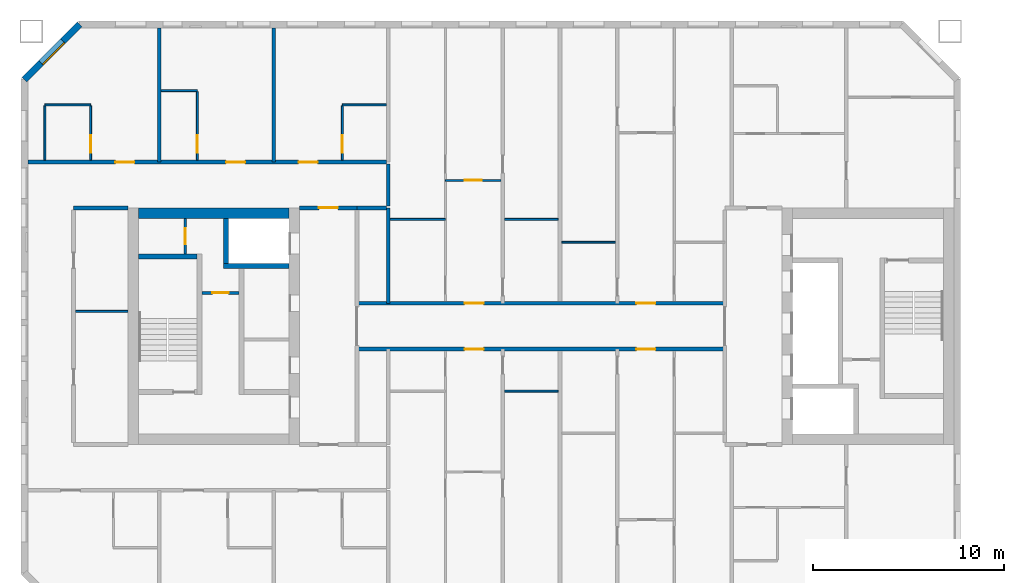
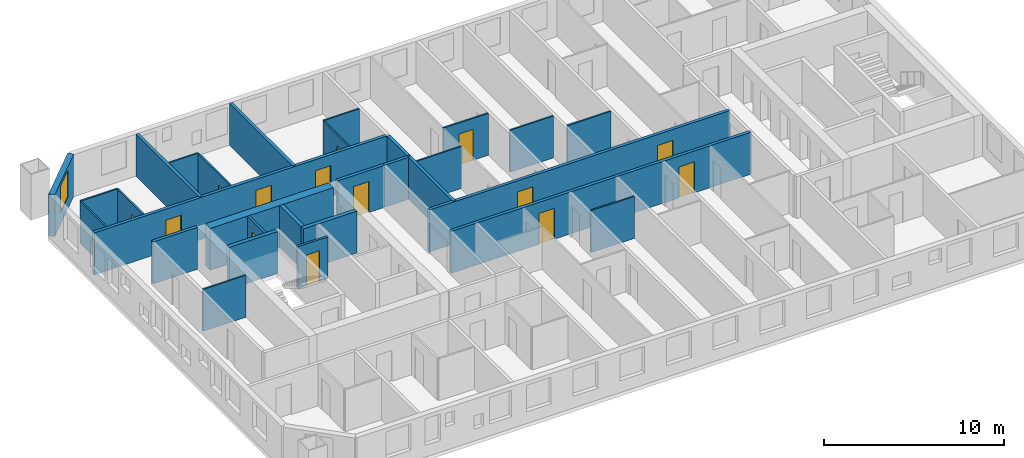
# One storey, part 5 of 17: 30 walls, 14 doors, 1 window, 15 openings.
"""IFC4 building model written with IfcOpenShell, lengths in metres."""

from ifc_helpers import new_model, si_unit, direction, frame, frame_2d, origin, place, context, subcontext, project, spatial, rectangle, extrude, material, layer, layer_set, type_object, element, fill, save


model = new_model("IFC4")

# Units and contexts
model_context = context("Model", 3, precision=1e-05, world=origin(), true_north=direction((0.0, 1.0)))
body_context = subcontext(model_context, "Body", "Model", "MODEL_VIEW")
ifc_project = project(units=[si_unit("LENGTHUNIT", "METRE"), si_unit("AREAUNIT", "SQUARE_METRE"), si_unit("VOLUMEUNIT", "CUBIC_METRE"), si_unit("PLANEANGLEUNIT", "RADIAN"), si_unit("MASSUNIT", "GRAM", prefix="KILO")], contexts=[model_context])

# Site, building, storey
site_placement = place(None, origin())
site = spatial("IfcSite", under=ifc_project, at=site_placement, CompositionType="ELEMENT")
building_placement = place(site_placement, origin())
building = spatial("IfcBuilding", under=site, at=building_placement, Name="Tuart Gate Housing", CompositionType="ELEMENT")
storey_placement = place(building_placement, frame((0.0, 0.0, 126.800048828125)))
storey = spatial("IfcBuildingStorey", under=building, at=storey_placement, Name="L35", CompositionType="ELEMENT", Elevation=126.800048828125)

# Wall, opening, window
ifc_material_1 = material(Name="Brick", Category="masonry")
ifc_layer_1 = layer(ifc_material_1, 0.360107421875)
ifc_layer_set_1 = layer_set([ifc_layer_1], Name="Brick pier and spandrel wall 360")
wall_type_1 = type_object("IfcWallType", Name="Brick pier and spandrel wall 360", PredefinedType="STANDARD", material=ifc_layer_set_1)
wall_1_placement = place(storey_placement, frame((29.82470703125, 85.820068359375, 0.0), z_axis=(0.0, 0.0, 1.0), x_axis=(-0.707106781187, -0.707106781187, 0.0)))
wall_1 = element("IfcWall", 1, at=wall_1_placement, inside=storey, type_object=wall_type_1, Name="External wall A-NW L35", PredefinedType="STANDARD", context=body_context, shape_type="SweptSolid", body=[
    extrude(rectangle(XDim=4.09375, YDim=0.360107421875, at=frame_2d((2.046875, 0.0))), origin(), (0.0, 0.0, 1.0), 2.849853515625),
])
opening_1_placement = place(wall_1_placement, frame((1.2470703125, 0.0, 0.800048828125)))
opening_1 = element("IfcOpeningElement", 2, at=opening_1_placement, cuts=wall_1, Name="Opening W1", PredefinedType="OPENING", context=body_context, shape_type="SweptSolid", body=[
    extrude(rectangle(XDim=1.60009765625, YDim=1.800048828125, at=frame_2d((0.800048828125, 0.89990234375))), frame((0.0, 0.18994140625, 0.0), z_axis=(0.0, -1.0, 0.0), x_axis=(1.0, 0.0, 0.0)), (0.0, 0.0, 1.0), 0.380126953125),
])
ifc_material_2 = material(Name="Aluminium frame with clear glass", Category="aluminium")
window_type = type_object("IfcWindowType", Name="Punched window 1600 x 1800", PartitioningType="SINGLE_PANEL", PredefinedType="WINDOW", material=ifc_material_2)
window_placement = place(opening_1_placement, origin())
window = element("IfcWindow", 3, at=window_placement, inside=storey, type_object=window_type, Name="Window W1", OverallHeight=1.800048828125, OverallWidth=1.60009765625, PartitioningType="SINGLE_PANEL", PredefinedType="WINDOW", context=body_context, shape_type="SweptSolid", body=[
    extrude(rectangle(XDim=1.60009765625, YDim=1.800048828125, at=frame_2d((0.800048828125, 0.89990234375))), frame((0.0, 0.150146484375, 0.0), z_axis=(0.0, -1.0, 0.0), x_axis=(1.0, 0.0, 0.0)), (0.0, 0.0, 1.0), 0.06005859375),
])
fill(opening_1, window)

# Wall, opening, door
ifc_material_3 = material(Name="Plasterboard partition")
ifc_layer_2 = layer(ifc_material_3, 0.14990234375)
ifc_layer_set_2 = layer_set([ifc_layer_2], Name="Core partition 150")
wall_type_2 = type_object("IfcWallType", Name="Core partition 150", PredefinedType="PARTITIONING", material=ifc_layer_set_2)
wall_2_placement = place(storey_placement, frame((38.18505859375, 71.75, 0.0), z_axis=(0.0, 0.0, 1.0), x_axis=(-1.0, 0.0, 0.0)))
wall_2 = element("IfcWall", 4, at=wall_2_placement, inside=storey, type_object=wall_type_2, Name="Core partition AK.3", PredefinedType="PARTITIONING", context=body_context, shape_type="SweptSolid", body=[
    extrude(rectangle(XDim=1.949951171875, YDim=0.14990234375, at=frame_2d((0.97509765625, 0.0))), origin(), (0.0, 0.0, 1.0), 2.849853515625),
])
opening_2_placement = place(wall_2_placement, frame((0.550048828125, 0.0, 0.0)))
opening_2 = element("IfcOpeningElement", 5, at=opening_2_placement, cuts=wall_2, Name="Opening D1314", PredefinedType="OPENING", context=body_context, shape_type="SweptSolid", body=[
    extrude(rectangle(XDim=0.85009765625, YDim=2.10009765625, at=frame_2d((0.425048828125, 1.050048828125))), frame((0.0, 0.0849609375, 0.0), z_axis=(0.0, -1.0, 0.0), x_axis=(1.0, 0.0, 0.0)), (0.0, 0.0, 1.0), 0.169921875),
])
ifc_material_4 = material(Name="Steel fire door", Category="steel")
door_type_1 = type_object("IfcDoorType", Name="Riser door 850 x 2100 RH", OperationType="SINGLE_SWING_RIGHT", PredefinedType="DOOR", material=ifc_material_4)
door_1_placement = place(opening_2_placement, frame((0.85009765625, 0.0, 0.0), z_axis=(0.0, 0.0, 1.0), x_axis=(-1.0, 0.0, 0.0)))
door_1 = element("IfcDoor", 6, at=door_1_placement, inside=storey, type_object=door_type_1, Name="Service room door AK.E1", OperationType="SINGLE_SWING_RIGHT", OverallHeight=2.10009765625, OverallWidth=0.85009765625, PredefinedType="DOOR", context=body_context, shape_type="SweptSolid", body=[
    extrude(rectangle(XDim=0.85009765625, YDim=2.10009765625, at=frame_2d((0.425048828125, 1.050048828125))), frame((0.0, 0.025146484375, 0.0), z_axis=(0.0, -1.0, 0.0), x_axis=(1.0, 0.0, 0.0)), (0.0, 0.0, 1.0), 0.050048828125),
])
fill(opening_2, door_1)

wall_3_placement = place(storey_placement, frame((35.360107421875, 75.64990234375, 0.0), z_axis=(0.0, 0.0, 1.0), x_axis=(0.0, -1.0, 0.0)))
wall_3 = element("IfcWall", 7, at=wall_3_placement, inside=storey, type_object=wall_type_2, Name="Core partition AK.10", PredefinedType="PARTITIONING", context=body_context, shape_type="SweptSolid", body=[
    extrude(rectangle(XDim=1.875, YDim=0.14990234375, at=frame_2d((0.9375, 0.0))), origin(), (0.0, 0.0, 1.0), 2.849853515625),
])
opening_3_placement = place(wall_3_placement, frame((0.512451171875, 0.0, 0.0)))
opening_3 = element("IfcOpeningElement", 8, at=opening_3_placement, cuts=wall_3, Name="Opening D1312", PredefinedType="OPENING", context=body_context, shape_type="SweptSolid", body=[
    extrude(rectangle(XDim=0.85009765625, YDim=2.10009765625, at=frame_2d((0.425048828125, 1.050048828125))), frame((0.0, 0.0849609375, 0.0), z_axis=(0.0, -1.0, 0.0), x_axis=(1.0, 0.0, 0.0)), (0.0, 0.0, 1.0), 0.169921875),
])
ifc_material_5 = material(Name="Steel fire door", Category="steel")
door_type_2 = type_object("IfcDoorType", Name="Service door 850 x 2100", OperationType="SINGLE_SWING_LEFT", PredefinedType="DOOR", material=ifc_material_5)
door_2_placement = place(opening_3_placement, origin())
door_2 = element("IfcDoor", 9, at=door_2_placement, inside=storey, type_object=door_type_2, Name="Service room door AK.E2", OperationType="SINGLE_SWING_LEFT", OverallHeight=2.10009765625, OverallWidth=0.85009765625, PredefinedType="DOOR", context=body_context, shape_type="SweptSolid", body=[
    extrude(rectangle(XDim=0.85009765625, YDim=2.10009765625, at=frame_2d((0.425048828125, 1.050048828125))), frame((0.0, 0.02490234375, 0.0), z_axis=(0.0, -1.0, 0.0), x_axis=(1.0, 0.0, 0.0)), (0.0, 0.0, 1.0), 0.050048828125),
])
fill(opening_3, door_2)

# Walls
ifc_material_6 = material(Name="Concrete C50", Category="concrete")
ifc_layer_3 = layer(ifc_material_6, 0.25)
ifc_layer_set_3 = layer_set([ifc_layer_3], Name="Core wall 250 C50")
wall_type_3 = type_object("IfcWallType", Name="Core wall 250 C50", PredefinedType="SHEAR", material=ifc_layer_set_3)
wall_4_placement = place(storey_placement, frame((35.985107421875, 73.64990234375, 0.0), z_axis=(0.0, 0.0, 1.0), x_axis=(-1.0, 0.0, 0.0)))
element("IfcWall", 10, at=wall_4_placement, inside=storey, type_object=wall_type_3, Name="Core wall AK.1", PredefinedType="SHEAR", context=body_context, shape_type="SweptSolid", body=[
    extrude(rectangle(XDim=3.0751953125, YDim=0.25, at=frame_2d((1.53759765625, 0.0))), origin(), (0.0, 0.0, 1.0), 2.849853515625),
])
wall_5_placement = place(storey_placement, frame((40.81005859375, 73.14990234375, 0.0), z_axis=(0.0, 0.0, 1.0), x_axis=(-1.0, 0.0, 0.0)))
element("IfcWall", 11, at=wall_5_placement, inside=storey, type_object=wall_type_3, Name="Core wall AK.2", PredefinedType="SHEAR", context=body_context, shape_type="SweptSolid", body=[
    extrude(rectangle(XDim=3.445068359375, YDim=0.25, at=frame_2d((1.72265625, 0.0))), origin(), (0.0, 0.0, 1.0), 2.849853515625),
])
wall_6_placement = place(storey_placement, frame((37.489990234375, 75.64990234375, 0.0), z_axis=(0.0, 0.0, 1.0), x_axis=(0.0, -1.0, 0.0)))
element("IfcWall", 12, at=wall_6_placement, inside=storey, type_object=wall_type_3, Name="Core wall AK.8", PredefinedType="SHEAR", context=body_context, shape_type="SweptSolid", body=[
    extrude(rectangle(XDim=2.375, YDim=0.25, at=frame_2d((1.1875, 0.0))), origin(), (0.0, 0.0, 1.0), 2.849853515625),
])
ifc_material_7 = material(Name="Concrete C50", Category="concrete")
ifc_layer_4 = layer(ifc_material_7, 0.550048828125)
ifc_layer_set_4 = layer_set([ifc_layer_4], Name="Core wall 550 C50")
wall_type_4 = type_object("IfcWallType", Name="Core wall 550 C50", PredefinedType="SHEAR", material=ifc_layer_set_4)
wall_7_placement = place(storey_placement, frame((40.81005859375, 75.925048828125, 0.0), z_axis=(0.0, 0.0, 1.0), x_axis=(-1.0, 0.0, 0.0)))
element("IfcWall", 13, at=wall_7_placement, inside=storey, type_object=wall_type_4, Name="Core wall AK south", PredefinedType="SHEAR", context=body_context, shape_type="SweptSolid", body=[
    extrude(rectangle(XDim=7.900146484375, YDim=0.550048828125, at=frame_2d((3.9501953125, 0.0))), origin(), (0.0, 0.0, 1.0), 2.849853515625),
])

# Wall, openings, doors
ifc_material_8 = material(Name="Concrete masonry 15 MPa", Category="masonry")
ifc_layer_5 = layer(ifc_material_8, 0.199951171875)
ifc_layer_set_5 = layer_set([ifc_layer_5], Name="Corridor wall masonry 200")
wall_type_5 = type_object("IfcWallType", Name="Corridor wall masonry 200", PredefinedType="PARTITIONING", material=ifc_layer_set_5)
wall_8_placement = place(storey_placement, frame((44.360107421875, 68.800048828125, 0.0), z_axis=(0.0, 0.0, 1.0), x_axis=(1.0, 0.0, 0.0)))
wall_8 = element("IfcWall", 14, at=wall_8_placement, inside=storey, type_object=wall_type_5, Name="Corridor wall masonry 200", PredefinedType="PARTITIONING", context=body_context, shape_type="SweptSolid", body=[
    extrude(rectangle(XDim=19.27978515625, YDim=0.199951171875, at=frame_2d((9.639892578125, 0.0))), origin(), (0.0, 0.0, 1.0), 2.849853515625),
])
opening_4_placement = place(wall_8_placement, frame((14.639892578125, 0.0, 0.0)))
opening_4 = element("IfcOpeningElement", 15, at=opening_4_placement, cuts=wall_8, Name="Opening D1325", PredefinedType="OPENING", context=body_context, shape_type="SweptSolid", body=[
    extrude(rectangle(XDim=1.0, YDim=2.10009765625, at=frame_2d((0.5, 1.050048828125))), frame((0.0, 0.10986328125, 0.0), z_axis=(0.0, -1.0, 0.0), x_axis=(1.0, 0.0, 0.0)), (0.0, 0.0, 1.0), 0.219970703125),
])
opening_5_placement = place(wall_8_placement, frame((5.639892578125, 0.0, 0.0)))
opening_5 = element("IfcOpeningElement", 16, at=opening_5_placement, cuts=wall_8, Name="Opening D1326", PredefinedType="OPENING", context=body_context, shape_type="SweptSolid", body=[
    extrude(rectangle(XDim=1.0, YDim=2.10009765625, at=frame_2d((0.5, 1.050048828125))), frame((0.0, 0.10986328125, 0.0), z_axis=(0.0, -1.0, 0.0), x_axis=(1.0, 0.0, 0.0)), (0.0, 0.0, 1.0), 0.219970703125),
])
ifc_material_9 = material(Name="Timber door leaf in steel frame", Category="steel")
door_type_3 = type_object("IfcDoorType", Name="Flat entrance door 1000 RH", OperationType="SINGLE_SWING_RIGHT", PredefinedType="DOOR", material=ifc_material_9)
door_3_placement = place(opening_4_placement, frame((1.0, 0.0, 0.0), z_axis=(0.0, 0.0, 1.0), x_axis=(-1.0, 0.0, 0.0)))
door_3 = element("IfcDoor", 17, at=door_3_placement, inside=storey, type_object=door_type_3, Name="Flat entrance door", OperationType="SINGLE_SWING_RIGHT", OverallHeight=2.10009765625, OverallWidth=1.0, PredefinedType="DOOR", context=body_context, shape_type="SweptSolid", body=[
    extrude(rectangle(XDim=1.0, YDim=2.10009765625, at=frame_2d((0.5, 1.050048828125))), frame((0.0, 0.025146484375, 0.0), z_axis=(0.0, -1.0, 0.0), x_axis=(1.0, 0.0, 0.0)), (0.0, 0.0, 1.0), 0.050048828125),
])
fill(opening_4, door_3)
door_4_placement = place(opening_5_placement, frame((1.0, 0.0, 0.0), z_axis=(0.0, 0.0, 1.0), x_axis=(-1.0, 0.0, 0.0)))
door_4 = element("IfcDoor", 18, at=door_4_placement, inside=storey, type_object=door_type_3, Name="Flat entrance door", OperationType="SINGLE_SWING_RIGHT", OverallHeight=2.10009765625, OverallWidth=1.0, PredefinedType="DOOR", context=body_context, shape_type="SweptSolid", body=[
    extrude(rectangle(XDim=1.0, YDim=2.10009765625, at=frame_2d((0.5, 1.050048828125))), frame((0.0, 0.025146484375, 0.0), z_axis=(0.0, -1.0, 0.0), x_axis=(1.0, 0.0, 0.0)), (0.0, 0.0, 1.0), 0.050048828125),
])
fill(opening_5, door_4)

wall_9_placement = place(storey_placement, frame((44.360107421875, 71.199951171875, 0.0), z_axis=(0.0, 0.0, 1.0), x_axis=(1.0, 0.0, 0.0)))
wall_9 = element("IfcWall", 19, at=wall_9_placement, inside=storey, type_object=wall_type_5, Name="Corridor wall masonry 200", PredefinedType="PARTITIONING", context=body_context, shape_type="SweptSolid", body=[
    extrude(rectangle(XDim=19.27978515625, YDim=0.199951171875, at=frame_2d((9.639892578125, 0.0))), origin(), (0.0, 0.0, 1.0), 2.849853515625),
])
opening_6_placement = place(wall_9_placement, frame((14.639892578125, 0.0, 0.0)))
opening_6 = element("IfcOpeningElement", 20, at=opening_6_placement, cuts=wall_9, Name="Opening D1315", PredefinedType="OPENING", context=body_context, shape_type="SweptSolid", body=[
    extrude(rectangle(XDim=1.0, YDim=2.10009765625, at=frame_2d((0.5, 1.050048828125))), frame((0.0, 0.10986328125, 0.0), z_axis=(0.0, -1.0, 0.0), x_axis=(1.0, 0.0, 0.0)), (0.0, 0.0, 1.0), 0.219970703125),
])
opening_7_placement = place(wall_9_placement, frame((5.639892578125, 0.0, 0.0)))
opening_7 = element("IfcOpeningElement", 21, at=opening_7_placement, cuts=wall_9, Name="Opening D1316", PredefinedType="OPENING", context=body_context, shape_type="SweptSolid", body=[
    extrude(rectangle(XDim=1.0, YDim=2.10009765625, at=frame_2d((0.5, 1.050048828125))), frame((0.0, 0.10986328125, 0.0), z_axis=(0.0, -1.0, 0.0), x_axis=(1.0, 0.0, 0.0)), (0.0, 0.0, 1.0), 0.219970703125),
])
ifc_material_10 = material(Name="Timber door leaf in steel frame", Category="steel")
door_type_4 = type_object("IfcDoorType", Name="Flat entrance door 1000", OperationType="SINGLE_SWING_LEFT", PredefinedType="DOOR", material=ifc_material_10)
door_5_placement = place(opening_6_placement, origin())
door_5 = element("IfcDoor", 22, at=door_5_placement, inside=storey, type_object=door_type_4, Name="Flat entrance door", OperationType="SINGLE_SWING_LEFT", OverallHeight=2.10009765625, OverallWidth=1.0, PredefinedType="DOOR", context=body_context, shape_type="SweptSolid", body=[
    extrude(rectangle(XDim=1.0, YDim=2.10009765625, at=frame_2d((0.5, 1.050048828125))), frame((0.0, 0.02490234375, 0.0), z_axis=(0.0, -1.0, 0.0), x_axis=(1.0, 0.0, 0.0)), (0.0, 0.0, 1.0), 0.050048828125),
])
fill(opening_6, door_5)
door_6_placement = place(opening_7_placement, origin())
door_6 = element("IfcDoor", 23, at=door_6_placement, inside=storey, type_object=door_type_4, Name="Flat entrance door", OperationType="SINGLE_SWING_LEFT", OverallHeight=2.10009765625, OverallWidth=1.0, PredefinedType="DOOR", context=body_context, shape_type="SweptSolid", body=[
    extrude(rectangle(XDim=1.0, YDim=2.10009765625, at=frame_2d((0.5, 1.050048828125))), frame((0.0, 0.02490234375, 0.0), z_axis=(0.0, -1.0, 0.0), x_axis=(1.0, 0.0, 0.0)), (0.0, 0.0, 1.0), 0.050048828125),
])
fill(opening_7, door_6)

# Walls
wall_10_placement = place(storey_placement, frame((29.510009765625, 76.199951171875, 0.0), z_axis=(0.0, 0.0, 1.0), x_axis=(1.0, 0.0, 0.0)))
element("IfcWall", 24, at=wall_10_placement, inside=storey, type_object=wall_type_5, Name="Corridor wall masonry 200", PredefinedType="PARTITIONING", context=body_context, shape_type="SweptSolid", body=[
    extrude(rectangle(XDim=2.85009765625, YDim=0.199951171875, at=frame_2d((1.425048828125, 0.0))), origin(), (0.0, 0.0, 1.0), 2.849853515625),
])
wall_11_placement = place(storey_placement, frame((44.360107421875, 76.199951171875, 0.0), z_axis=(0.0, 0.0, 1.0), x_axis=(1.0, 0.0, 0.0)))
element("IfcWall", 25, at=wall_11_placement, inside=storey, type_object=wall_type_5, Name="Corridor wall masonry 200", PredefinedType="PARTITIONING", context=body_context, shape_type="SweptSolid", body=[
    extrude(rectangle(XDim=1.539794921875, YDim=0.199951171875, at=frame_2d((0.77001953125, 0.0))), origin(), (0.0, 0.0, 1.0), 2.849853515625),
])

# Wall, openings, doors
wall_12_placement = place(storey_placement, frame((27.110107421875, 78.60009765625, 0.0), z_axis=(0.0, 0.0, 1.0), x_axis=(1.0, 0.0, 0.0)))
wall_12 = element("IfcWall", 26, at=wall_12_placement, inside=storey, type_object=wall_type_5, Name="Corridor wall masonry 200", PredefinedType="PARTITIONING", context=body_context, shape_type="SweptSolid", body=[
    extrude(rectangle(XDim=18.789794921875, YDim=0.199951171875, at=frame_2d((9.39501953125, 0.0))), origin(), (0.0, 0.0, 1.0), 2.849853515625),
])
opening_8_placement = place(wall_12_placement, frame((14.18994140625, 0.0, 0.0)))
opening_8 = element("IfcOpeningElement", 27, at=opening_8_placement, cuts=wall_12, Name="Opening D1298", PredefinedType="OPENING", context=body_context, shape_type="SweptSolid", body=[
    extrude(rectangle(XDim=1.0, YDim=2.10009765625, at=frame_2d((0.5, 1.050048828125))), frame((0.0, 0.10986328125, 0.0), z_axis=(0.0, -1.0, 0.0), x_axis=(1.0, 0.0, 0.0)), (0.0, 0.0, 1.0), 0.219970703125),
])
opening_9_placement = place(wall_12_placement, frame((10.389892578125, 0.0, 0.0)))
opening_9 = element("IfcOpeningElement", 28, at=opening_9_placement, cuts=wall_12, Name="Opening D1299", PredefinedType="OPENING", context=body_context, shape_type="SweptSolid", body=[
    extrude(rectangle(XDim=1.0, YDim=2.10009765625, at=frame_2d((0.5, 1.050048828125))), frame((0.0, 0.10986328125, 0.0), z_axis=(0.0, -1.0, 0.0), x_axis=(1.0, 0.0, 0.0)), (0.0, 0.0, 1.0), 0.219970703125),
])
opening_10_placement = place(wall_12_placement, frame((4.590087890625, 0.0, 0.0)))
opening_10 = element("IfcOpeningElement", 29, at=opening_10_placement, cuts=wall_12, Name="Opening D1300", PredefinedType="OPENING", context=body_context, shape_type="SweptSolid", body=[
    extrude(rectangle(XDim=1.0, YDim=2.10009765625, at=frame_2d((0.5, 1.050048828125))), frame((0.0, 0.10986328125, 0.0), z_axis=(0.0, -1.0, 0.0), x_axis=(1.0, 0.0, 0.0)), (0.0, 0.0, 1.0), 0.219970703125),
])
door_7_placement = place(opening_8_placement, origin())
door_7 = element("IfcDoor", 30, at=door_7_placement, inside=storey, type_object=door_type_4, Name="Flat entrance door", OperationType="SINGLE_SWING_LEFT", OverallHeight=2.10009765625, OverallWidth=1.0, PredefinedType="DOOR", context=body_context, shape_type="SweptSolid", body=[
    extrude(rectangle(XDim=1.0, YDim=2.10009765625, at=frame_2d((0.5, 1.050048828125))), frame((0.0, 0.02490234375, 0.0), z_axis=(0.0, -1.0, 0.0), x_axis=(1.0, 0.0, 0.0)), (0.0, 0.0, 1.0), 0.050048828125),
])
fill(opening_8, door_7)
door_8_placement = place(opening_9_placement, origin())
door_8 = element("IfcDoor", 31, at=door_8_placement, inside=storey, type_object=door_type_4, Name="Flat entrance door", OperationType="SINGLE_SWING_LEFT", OverallHeight=2.10009765625, OverallWidth=1.0, PredefinedType="DOOR", context=body_context, shape_type="SweptSolid", body=[
    extrude(rectangle(XDim=1.0, YDim=2.10009765625, at=frame_2d((0.5, 1.050048828125))), frame((0.0, 0.02490234375, 0.0), z_axis=(0.0, -1.0, 0.0), x_axis=(1.0, 0.0, 0.0)), (0.0, 0.0, 1.0), 0.050048828125),
])
fill(opening_9, door_8)
door_9_placement = place(opening_10_placement, origin())
door_9 = element("IfcDoor", 32, at=door_9_placement, inside=storey, type_object=door_type_4, Name="Flat entrance door", OperationType="SINGLE_SWING_LEFT", OverallHeight=2.10009765625, OverallWidth=1.0, PredefinedType="DOOR", context=body_context, shape_type="SweptSolid", body=[
    extrude(rectangle(XDim=1.0, YDim=2.10009765625, at=frame_2d((0.5, 1.050048828125))), frame((0.0, 0.02490234375, 0.0), z_axis=(0.0, -1.0, 0.0), x_axis=(1.0, 0.0, 0.0)), (0.0, 0.0, 1.0), 0.050048828125),
])
fill(opening_10, door_9)

# Wall
wall_13_placement = place(storey_placement, frame((46.0, 76.300048828125, 0.0), z_axis=(0.0, 0.0, 1.0), x_axis=(0.0, 1.0, 0.0)))
element("IfcWall", 33, at=wall_13_placement, inside=storey, type_object=wall_type_5, Name="Corridor wall masonry 200", PredefinedType="PARTITIONING", context=body_context, shape_type="SweptSolid", body=[
    extrude(rectangle(XDim=2.199951171875, YDim=0.199951171875, at=frame_2d((1.10009765625, 0.0))), origin(), (0.0, 0.0, 1.0), 2.849853515625),
])

# Wall, opening, door
ifc_material_11 = material(Name="Concrete masonry 15 MPa", Category="masonry")
ifc_layer_6 = layer(ifc_material_11, 0.199951171875)
ifc_layer_set_6 = layer_set([ifc_layer_6], Name="Enclosure wall masonry 200")
wall_type_6 = type_object("IfcWallType", Name="Enclosure wall masonry 200", PredefinedType="PARTITIONING", material=ifc_layer_set_6)
wall_14_placement = place(storey_placement, frame((41.360107421875, 76.199951171875, 0.0), z_axis=(0.0, 0.0, 1.0), x_axis=(1.0, 0.0, 0.0)))
wall_14 = element("IfcWall", 34, at=wall_14_placement, inside=storey, type_object=wall_type_6, Name="Enclosure wall masonry 200", PredefinedType="PARTITIONING", context=body_context, shape_type="SweptSolid", body=[
    extrude(rectangle(XDim=3.0, YDim=0.199951171875, at=frame_2d((1.5, 0.0))), origin(), (0.0, 0.0, 1.0), 2.849853515625),
])
opening_11_placement = place(wall_14_placement, frame((1.0, 0.0, 0.0)))
opening_11 = element("IfcOpeningElement", 35, at=opening_11_placement, cuts=wall_14, Name="Opening D1310", PredefinedType="OPENING", context=body_context, shape_type="SweptSolid", body=[
    extrude(rectangle(XDim=1.0, YDim=2.10009765625, at=frame_2d((0.5, 1.050048828125))), frame((0.0, 0.10986328125, 0.0), z_axis=(0.0, -1.0, 0.0), x_axis=(1.0, 0.0, 0.0)), (0.0, 0.0, 1.0), 0.219970703125),
])
ifc_material_12 = material(Name="Timber door leaf in steel frame", Category="steel")
door_type_5 = type_object("IfcDoorType", Name="Fire door 1000 RH", OperationType="SINGLE_SWING_RIGHT", PredefinedType="DOOR", material=ifc_material_12)
door_10_placement = place(opening_11_placement, origin())
door_10 = element("IfcDoor", 36, at=door_10_placement, inside=storey, type_object=door_type_5, Name="Fire door", OperationType="SINGLE_SWING_RIGHT", OverallHeight=2.10009765625, OverallWidth=1.0, PredefinedType="DOOR", context=body_context, shape_type="SweptSolid", body=[
    extrude(rectangle(XDim=1.0, YDim=2.10009765625, at=frame_2d((0.5, 1.050048828125))), frame((0.0, 0.02490234375, 0.0), z_axis=(0.0, -1.0, 0.0), x_axis=(1.0, 0.0, 0.0)), (0.0, 0.0, 1.0), 0.050048828125),
])
fill(opening_11, door_10)

# Walls
ifc_material_13 = material(Name="Gypsum board on steel studs", Category="steel")
ifc_layer_7 = layer(ifc_material_13, 0.10009765625)
ifc_layer_set_7 = layer_set([ifc_layer_7], Name="Partition 100")
wall_type_7 = type_object("IfcWallType", Name="Partition 100", PredefinedType="PARTITIONING", material=ifc_layer_set_7)
wall_15_placement = place(storey_placement, frame((52.10009765625, 66.60009765625, 0.0), z_axis=(0.0, 0.0, 1.0), x_axis=(1.0, 0.0, 0.0)))
element("IfcWall", 37, at=wall_15_placement, inside=storey, type_object=wall_type_7, Name="Partition 100", PredefinedType="PARTITIONING", context=body_context, shape_type="SweptSolid", body=[
    extrude(rectangle(XDim=2.7998046875, YDim=0.10009765625, at=frame_2d((1.39990234375, 0.0))), origin(), (0.0, 0.0, 1.0), 2.849853515625),
])
wall_16_placement = place(storey_placement, frame((29.610107421875, 70.780029296875, 0.0), z_axis=(0.0, 0.0, 1.0), x_axis=(1.0, 0.0, 0.0)))
element("IfcWall", 38, at=wall_16_placement, inside=storey, type_object=wall_type_7, Name="Partition 100", PredefinedType="PARTITIONING", context=body_context, shape_type="SweptSolid", body=[
    extrude(rectangle(XDim=2.75, YDim=0.10009765625, at=frame_2d((1.375, 0.0))), origin(), (0.0, 0.0, 1.0), 2.849853515625),
])
wall_17_placement = place(storey_placement, frame((55.10009765625, 74.39990234375, 0.0), z_axis=(0.0, 0.0, 1.0), x_axis=(1.0, 0.0, 0.0)))
element("IfcWall", 39, at=wall_17_placement, inside=storey, type_object=wall_type_7, Name="Partition 100", PredefinedType="PARTITIONING", context=body_context, shape_type="SweptSolid", body=[
    extrude(rectangle(XDim=2.7998046875, YDim=0.10009765625, at=frame_2d((1.39990234375, 0.0))), origin(), (0.0, 0.0, 1.0), 2.849853515625),
])
wall_18_placement = place(storey_placement, frame((46.10009765625, 75.60009765625, 0.0), z_axis=(0.0, 0.0, 1.0), x_axis=(1.0, 0.0, 0.0)))
element("IfcWall", 40, at=wall_18_placement, inside=storey, type_object=wall_type_7, Name="Partition 100", PredefinedType="PARTITIONING", context=body_context, shape_type="SweptSolid", body=[
    extrude(rectangle(XDim=2.89990234375, YDim=0.10009765625, at=frame_2d((1.449951171875, 0.0))), origin(), (0.0, 0.0, 1.0), 2.849853515625),
])
wall_19_placement = place(storey_placement, frame((52.10009765625, 75.60009765625, 0.0), z_axis=(0.0, 0.0, 1.0), x_axis=(1.0, 0.0, 0.0)))
element("IfcWall", 41, at=wall_19_placement, inside=storey, type_object=wall_type_7, Name="Partition 100", PredefinedType="PARTITIONING", context=body_context, shape_type="SweptSolid", body=[
    extrude(rectangle(XDim=2.7998046875, YDim=0.10009765625, at=frame_2d((1.39990234375, 0.0))), origin(), (0.0, 0.0, 1.0), 2.849853515625),
])

# Wall, opening, door
wall_20_placement = place(storey_placement, frame((49.0, 77.639892578125, 0.0), z_axis=(0.0, 0.0, 1.0), x_axis=(1.0, 0.0, 0.0)))
wall_20 = element("IfcWall", 42, at=wall_20_placement, inside=storey, type_object=wall_type_7, Name="Partition 100", PredefinedType="PARTITIONING", context=body_context, shape_type="SweptSolid", body=[
    extrude(rectangle(XDim=2.89990234375, YDim=0.10009765625, at=frame_2d((1.449951171875, 0.0))), origin(), (0.0, 0.0, 1.0), 2.849853515625),
])
opening_12_placement = place(wall_20_placement, frame((1.0, 0.0, 0.0)))
opening_12 = element("IfcOpeningElement", 43, at=opening_12_placement, cuts=wall_20, Name="Opening D1309", PredefinedType="OPENING", context=body_context, shape_type="SweptSolid", body=[
    extrude(rectangle(XDim=0.89990234375, YDim=2.10009765625, at=frame_2d((0.449951171875, 1.050048828125))), frame((0.0, 0.06005859375, 0.0), z_axis=(0.0, -1.0, 0.0), x_axis=(1.0, 0.0, 0.0)), (0.0, 0.0, 1.0), 0.1201171875),
])
ifc_material_14 = material(Name="Timber door leaf in steel frame", Category="steel")
door_type_6 = type_object("IfcDoorType", Name="Internal door 900 RH", OperationType="SINGLE_SWING_RIGHT", PredefinedType="DOOR", material=ifc_material_14)
door_11_placement = place(opening_12_placement, frame((0.89990234375, 0.0, 0.0), z_axis=(0.0, 0.0, 1.0), x_axis=(-1.0, 0.0, 0.0)))
door_11 = element("IfcDoor", 44, at=door_11_placement, inside=storey, type_object=door_type_6, Name="Internal door", OperationType="SINGLE_SWING_RIGHT", OverallHeight=2.10009765625, OverallWidth=0.89990234375, PredefinedType="DOOR", context=body_context, shape_type="SweptSolid", body=[
    extrude(rectangle(XDim=0.89990234375, YDim=2.10009765625, at=frame_2d((0.449951171875, 1.050048828125))), frame((0.0, 0.025146484375, 0.0), z_axis=(0.0, -1.0, 0.0), x_axis=(1.0, 0.0, 0.0)), (0.0, 0.0, 1.0), 0.050048828125),
])
fill(opening_12, door_11)

# Walls
wall_21_placement = place(storey_placement, frame((28.0, 81.60009765625, 0.0), z_axis=(0.0, 0.0, 1.0), x_axis=(1.0, 0.0, 0.0)))
element("IfcWall", 45, at=wall_21_placement, inside=storey, type_object=wall_type_7, Name="Partition 100", PredefinedType="PARTITIONING", context=body_context, shape_type="SweptSolid", body=[
    extrude(rectangle(XDim=2.39990234375, YDim=0.10009765625, at=frame_2d((1.199951171875, 0.0))), origin(), (0.0, 0.0, 1.0), 2.849853515625),
])
wall_22_placement = place(storey_placement, frame((43.60009765625, 81.60009765625, 0.0), z_axis=(0.0, 0.0, 1.0), x_axis=(1.0, 0.0, 0.0)))
element("IfcWall", 46, at=wall_22_placement, inside=storey, type_object=wall_type_7, Name="Partition 100", PredefinedType="PARTITIONING", context=body_context, shape_type="SweptSolid", body=[
    extrude(rectangle(XDim=2.2998046875, YDim=0.10009765625, at=frame_2d((1.14990234375, 0.0))), origin(), (0.0, 0.0, 1.0), 2.849853515625),
])
wall_23_placement = place(storey_placement, frame((34.10009765625, 82.35009765625, 0.0), z_axis=(0.0, 0.0, 1.0), x_axis=(1.0, 0.0, 0.0)))
element("IfcWall", 47, at=wall_23_placement, inside=storey, type_object=wall_type_7, Name="Partition 100", PredefinedType="PARTITIONING", context=body_context, shape_type="SweptSolid", body=[
    extrude(rectangle(XDim=1.89990234375, YDim=0.10009765625, at=frame_2d((0.949951171875, 0.0))), origin(), (0.0, 0.0, 1.0), 2.849853515625),
])
wall_24_placement = place(storey_placement, frame((28.0, 78.699951171875, 0.0), z_axis=(0.0, 0.0, 1.0), x_axis=(0.0, 1.0, 0.0)))
element("IfcWall", 48, at=wall_24_placement, inside=storey, type_object=wall_type_7, Name="Partition 100", PredefinedType="PARTITIONING", context=body_context, shape_type="SweptSolid", body=[
    extrude(rectangle(XDim=2.85009765625, YDim=0.10009765625, at=frame_2d((1.425048828125, 0.0))), origin(), (0.0, 0.0, 1.0), 2.849853515625),
])

# Wall, opening, door
wall_25_placement = place(storey_placement, frame((30.39990234375, 78.699951171875, 0.0), z_axis=(0.0, 0.0, 1.0), x_axis=(0.0, 1.0, 0.0)))
wall_25 = element("IfcWall", 49, at=wall_25_placement, inside=storey, type_object=wall_type_7, Name="Partition 100", PredefinedType="PARTITIONING", context=body_context, shape_type="SweptSolid", body=[
    extrude(rectangle(XDim=2.85009765625, YDim=0.10009765625, at=frame_2d((1.425048828125, 0.0))), origin(), (0.0, 0.0, 1.0), 2.849853515625),
])
opening_13_placement = place(wall_25_placement, frame((0.39990234375, 0.0, 0.0)))
opening_13 = element("IfcOpeningElement", 50, at=opening_13_placement, cuts=wall_25, Name="Opening D1294", PredefinedType="OPENING", context=body_context, shape_type="SweptSolid", body=[
    extrude(rectangle(XDim=0.89990234375, YDim=2.10009765625, at=frame_2d((0.449951171875, 1.050048828125))), frame((0.0, 0.06005859375, 0.0), z_axis=(0.0, -1.0, 0.0), x_axis=(1.0, 0.0, 0.0)), (0.0, 0.0, 1.0), 0.1201171875),
])
ifc_material_15 = material(Name="Timber door leaf in steel frame", Category="steel")
door_type_7 = type_object("IfcDoorType", Name="Bathroom door 900", OperationType="SINGLE_SWING_LEFT", PredefinedType="DOOR", material=ifc_material_15)
door_12_placement = place(opening_13_placement, origin())
door_12 = element("IfcDoor", 51, at=door_12_placement, inside=storey, type_object=door_type_7, Name="Bathroom door", OperationType="SINGLE_SWING_LEFT", OverallHeight=2.10009765625, OverallWidth=0.89990234375, PredefinedType="DOOR", context=body_context, shape_type="SweptSolid", body=[
    extrude(rectangle(XDim=0.89990234375, YDim=2.10009765625, at=frame_2d((0.449951171875, 1.050048828125))), frame((0.0, 0.02490234375, 0.0), z_axis=(0.0, -1.0, 0.0), x_axis=(1.0, 0.0, 0.0)), (0.0, 0.0, 1.0), 0.050048828125),
])
fill(opening_13, door_12)

wall_26_placement = place(storey_placement, frame((36.0, 78.699951171875, 0.0), z_axis=(0.0, 0.0, 1.0), x_axis=(0.0, 1.0, 0.0)))
wall_26 = element("IfcWall", 52, at=wall_26_placement, inside=storey, type_object=wall_type_7, Name="Partition 100", PredefinedType="PARTITIONING", context=body_context, shape_type="SweptSolid", body=[
    extrude(rectangle(XDim=3.60009765625, YDim=0.10009765625, at=frame_2d((1.800048828125, 0.0))), origin(), (0.0, 0.0, 1.0), 2.849853515625),
])
opening_14_placement = place(wall_26_placement, frame((0.39990234375, 0.0, 0.0)))
opening_14 = element("IfcOpeningElement", 53, at=opening_14_placement, cuts=wall_26, Name="Opening D1292", PredefinedType="OPENING", context=body_context, shape_type="SweptSolid", body=[
    extrude(rectangle(XDim=0.89990234375, YDim=2.10009765625, at=frame_2d((0.449951171875, 1.050048828125))), frame((0.0, 0.06005859375, 0.0), z_axis=(0.0, -1.0, 0.0), x_axis=(1.0, 0.0, 0.0)), (0.0, 0.0, 1.0), 0.1201171875),
])
door_13_placement = place(opening_14_placement, origin())
door_13 = element("IfcDoor", 54, at=door_13_placement, inside=storey, type_object=door_type_7, Name="Bathroom door", OperationType="SINGLE_SWING_LEFT", OverallHeight=2.10009765625, OverallWidth=0.89990234375, PredefinedType="DOOR", context=body_context, shape_type="SweptSolid", body=[
    extrude(rectangle(XDim=0.89990234375, YDim=2.10009765625, at=frame_2d((0.449951171875, 1.050048828125))), frame((0.0, 0.02490234375, 0.0), z_axis=(0.0, -1.0, 0.0), x_axis=(1.0, 0.0, 0.0)), (0.0, 0.0, 1.0), 0.050048828125),
])
fill(opening_14, door_13)

wall_27_placement = place(storey_placement, frame((43.60009765625, 78.699951171875, 0.0), z_axis=(0.0, 0.0, 1.0), x_axis=(0.0, 1.0, 0.0)))
wall_27 = element("IfcWall", 55, at=wall_27_placement, inside=storey, type_object=wall_type_7, Name="Partition 100", PredefinedType="PARTITIONING", context=body_context, shape_type="SweptSolid", body=[
    extrude(rectangle(XDim=2.85009765625, YDim=0.10009765625, at=frame_2d((1.425048828125, 0.0))), origin(), (0.0, 0.0, 1.0), 2.849853515625),
])
opening_15_placement = place(wall_27_placement, frame((0.39990234375, 0.0, 0.0)))
opening_15 = element("IfcOpeningElement", 56, at=opening_15_placement, cuts=wall_27, Name="Opening D1295", PredefinedType="OPENING", context=body_context, shape_type="SweptSolid", body=[
    extrude(rectangle(XDim=0.89990234375, YDim=2.10009765625, at=frame_2d((0.449951171875, 1.050048828125))), frame((0.0, 0.06005859375, 0.0), z_axis=(0.0, -1.0, 0.0), x_axis=(1.0, 0.0, 0.0)), (0.0, 0.0, 1.0), 0.1201171875),
])
ifc_material_16 = material(Name="Timber door leaf in steel frame", Category="steel")
door_type_8 = type_object("IfcDoorType", Name="Bathroom door 900 RH", OperationType="SINGLE_SWING_RIGHT", PredefinedType="DOOR", material=ifc_material_16)
door_14_placement = place(opening_15_placement, frame((0.89990234375, 0.0, 0.0), z_axis=(0.0, 0.0, 1.0), x_axis=(-1.0, 0.0, 0.0)))
door_14 = element("IfcDoor", 57, at=door_14_placement, inside=storey, type_object=door_type_8, Name="Bathroom door", OperationType="SINGLE_SWING_RIGHT", OverallHeight=2.10009765625, OverallWidth=0.89990234375, PredefinedType="DOOR", context=body_context, shape_type="SweptSolid", body=[
    extrude(rectangle(XDim=0.89990234375, YDim=2.10009765625, at=frame_2d((0.449951171875, 1.050048828125))), frame((0.0, 0.025146484375, 0.0), z_axis=(0.0, -1.0, 0.0), x_axis=(1.0, 0.0, 0.0)), (0.0, 0.0, 1.0), 0.050048828125),
])
fill(opening_15, door_14)

# Walls
ifc_material_17 = material(Name="Concrete C40", Category="concrete")
ifc_layer_8 = layer(ifc_material_17, 0.199951171875)
ifc_layer_set_8 = layer_set([ifc_layer_8], Name="Party wall concrete C40 200")
wall_type_8 = type_object("IfcWallType", Name="Party wall concrete C40 200", PredefinedType="SOLIDWALL", material=ifc_layer_set_8)
for number, where, z_axis, x_axis, name in (
    (58, (34.0, 78.60009765625, 0.0), (0.0, 0.0, 1.0), (0.0, 1.0, 0.0), "Party wall concrete C40 200"),
    (59, (40.0, 78.60009765625, 0.0), (0.0, 0.0, 1.0), (0.0, 1.0, 0.0), "Party wall concrete C40 200"),
):
    element("IfcWall", number, at=place(storey_placement, frame(where, z_axis=z_axis, x_axis=x_axis)), inside=storey, type_object=wall_type_8, Name=name, PredefinedType="SOLIDWALL", context=body_context, shape_type="SweptSolid", body=[
        extrude(rectangle(XDim=7.039794921875, YDim=0.199951171875, at=frame_2d((3.52001953125, 0.0))), origin(), (0.0, 0.0, 1.0), 2.849853515625),
    ])
wall_28_placement = place(storey_placement, frame((46.0, 71.199951171875, 0.0), z_axis=(0.0, 0.0, 1.0), x_axis=(0.0, 1.0, 0.0)))
element("IfcWall", 60, at=wall_28_placement, inside=storey, type_object=wall_type_8, Name="Party wall concrete C40 200", PredefinedType="SOLIDWALL", context=body_context, shape_type="SweptSolid", body=[
    extrude(rectangle(XDim=5.0, YDim=0.199951171875, at=frame_2d((2.5, 0.0))), origin(), (0.0, 0.0, 1.0), 2.849853515625),
])

save(model, "model.ifc")
